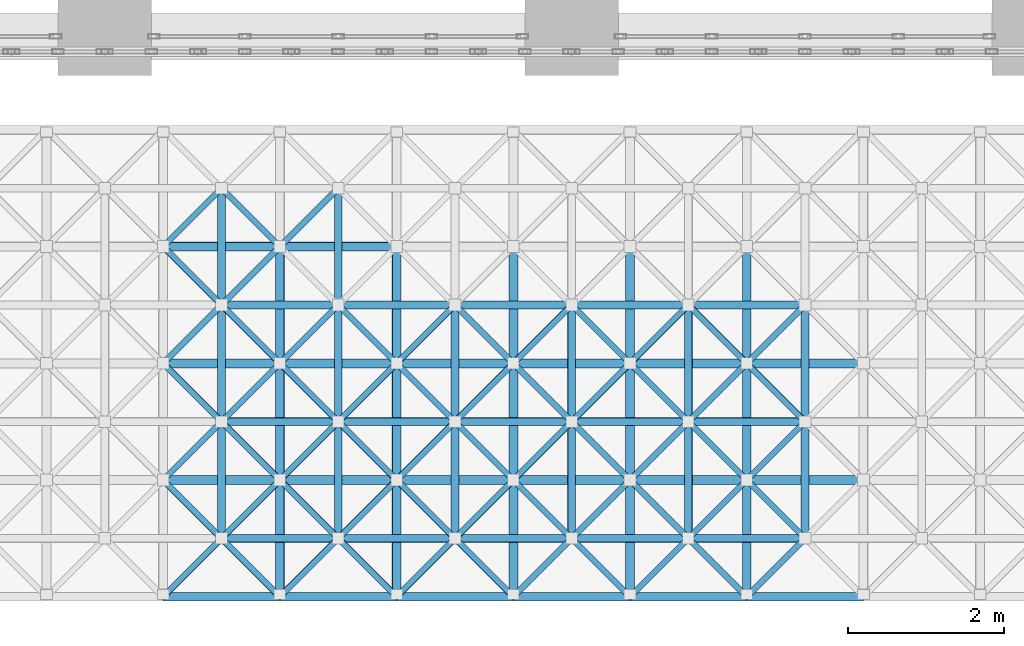
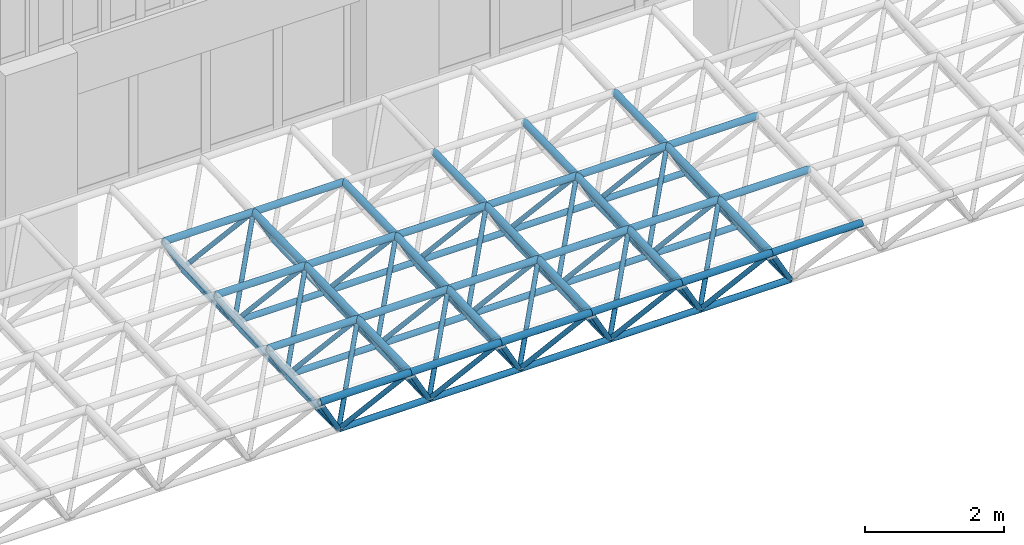
# One storey, part 14 of 103: 124 members.
"""IFC4 building model written with IfcOpenShell, lengths in metres."""

from ifc_helpers import new_model, si_unit, direction, frame, origin, origin_2d, place, context, subcontext, project, spatial, hollow_circle, extrude, material, material_profile, profile_set, type_object, element, save


model = new_model("IFC4")

# Units and contexts
model_context = context("Model", 3, precision=1e-05, world=origin(), true_north=direction((0.0, 1.0)))
body_context = subcontext(model_context, "Body", "Model", "MODEL_VIEW")
ifc_project = project(units=[si_unit("LENGTHUNIT", "METRE"), si_unit("AREAUNIT", "SQUARE_METRE"), si_unit("VOLUMEUNIT", "CUBIC_METRE"), si_unit("PLANEANGLEUNIT", "RADIAN"), si_unit("MASSUNIT", "GRAM", prefix="KILO")], contexts=[model_context])

# Site, building, storey
site_placement = place(None, origin())
site = spatial("IfcSite", under=ifc_project, at=site_placement, CompositionType="ELEMENT")
building_placement = place(site_placement, origin())
building = spatial("IfcBuilding", under=site, at=building_placement, Name="Laocheng Heights Fire and Rescue Headquarters", CompositionType="ELEMENT")
storey_placement = place(building_placement, frame((0.0, 0.0, 4.199951171875)))
storey = spatial("IfcBuildingStorey", under=building, at=storey_placement, Name="L01", CompositionType="ELEMENT", Elevation=4.199951171875)

# Members
ifc_material_1 = material(Name="Steel Q355B", Category="steel")
ifc_material_profile_1 = material_profile(ifc_material_1, hollow_circle(Radius=0.05078125, WallThickness=0.00390625, at=origin_2d()), Name="CHS 101.6x4")
ifc_profile_set_1 = profile_set([ifc_material_profile_1], Name="Steel Q355B")
member_type_1 = type_object("IfcMemberType", Name="APRON CANOPY BOTTOM CHORD CHS 101.6x4", PredefinedType="CHORD", material=ifc_profile_set_1)
for number, where, z_axis, x_axis, name in (
    (1, (37.5, -3.449951171875, 0.8310546875), (1.0, 0.0, 0.0), (0.0, 1.0, 0.0), "Apron canopy bottom chord AC-B033"),
    (2, (39.0, -3.449951171875, 0.8310546875), (1.0, 0.0, 0.0), (0.0, 1.0, 0.0), "Apron canopy bottom chord AC-B034"),
    (3, (40.5, -3.449951171875, 0.8310546875), (1.0, 0.0, 0.0), (0.0, 1.0, 0.0), "Apron canopy bottom chord AC-B035"),
    (4, (42.0, -3.449951171875, 0.8310546875), (1.0, 0.0, 0.0), (0.0, 1.0, 0.0), "Apron canopy bottom chord AC-B036"),
    (5, (43.5, -3.449951171875, 0.8310546875), (1.0, 0.0, 0.0), (0.0, 1.0, 0.0), "Apron canopy bottom chord AC-B037"),
    (6, (37.5, -4.949951171875, 0.801025390625), (1.0, 0.0, 0.0), (0.0, 1.0, 0.0), "Apron canopy bottom chord AC-B055"),
    (7, (39.0, -4.949951171875, 0.801025390625), (1.0, 0.0, 0.0), (0.0, 1.0, 0.0), "Apron canopy bottom chord AC-B056"),
    (8, (40.5, -4.949951171875, 0.801025390625), (1.0, 0.0, 0.0), (0.0, 1.0, 0.0), "Apron canopy bottom chord AC-B057"),
    (9, (42.0, -4.949951171875, 0.801025390625), (1.0, 0.0, 0.0), (0.0, 1.0, 0.0), "Apron canopy bottom chord AC-B058"),
    (10, (43.5, -4.949951171875, 0.801025390625), (1.0, 0.0, 0.0), (0.0, 1.0, 0.0), "Apron canopy bottom chord AC-B059"),
    (11, (37.5, -6.449951171875, 0.77099609375), (1.0, 0.0, 0.0), (0.0, 1.0, 0.0), "Apron canopy bottom chord AC-B077"),
    (12, (39.0, -6.449951171875, 0.77099609375), (1.0, 0.0, 0.0), (0.0, 1.0, 0.0), "Apron canopy bottom chord AC-B078"),
    (13, (40.5, -6.449951171875, 0.77099609375), (1.0, 0.0, 0.0), (0.0, 1.0, 0.0), "Apron canopy bottom chord AC-B079"),
    (14, (42.0, -6.449951171875, 0.77099609375), (1.0, 0.0, 0.0), (0.0, 1.0, 0.0), "Apron canopy bottom chord AC-B080"),
    (15, (43.5, -6.449951171875, 0.77099609375), (1.0, 0.0, 0.0), (0.0, 1.0, 0.0), "Apron canopy bottom chord AC-B081"),
):
    element("IfcMember", number, at=place(storey_placement, frame(where, z_axis=z_axis, x_axis=x_axis)), inside=storey, type_object=member_type_1, Name=name, PredefinedType="CHORD", context=body_context, shape_type="SweptSolid", body=[
        extrude(hollow_circle(Radius=0.05078125, WallThickness=0.00390625, at=origin_2d()), origin(), (0.0, 0.0, 1.0), 1.5),
    ])
for number, where, z_axis, x_axis, name in (
    (16, (37.5, -1.949951171875, 0.861083984375), (0.0, -0.999799669399, -0.020015520725), (1.0, 0.0, 0.0), "Apron canopy bottom chord AC-B119"),
    (17, (37.5, -3.449951171875, 0.8310546875), (0.0, -0.999799669399, -0.020015520725), (1.0, 0.0, 0.0), "Apron canopy bottom chord AC-B120"),
    (18, (37.5, -4.949951171875, 0.801025390625), (0.0, -0.999799669399, -0.020015520725), (1.0, 0.0, 0.0), "Apron canopy bottom chord AC-B121"),
    (19, (39.0, -1.949951171875, 0.861083984375), (0.0, -0.999799669399, -0.020015520725), (1.0, 0.0, 0.0), "Apron canopy bottom chord AC-B122"),
    (20, (39.0, -3.449951171875, 0.8310546875), (0.0, -0.999799669399, -0.020015520725), (1.0, 0.0, 0.0), "Apron canopy bottom chord AC-B123"),
    (21, (39.0, -4.949951171875, 0.801025390625), (0.0, -0.999799669399, -0.020015520725), (1.0, 0.0, 0.0), "Apron canopy bottom chord AC-B124"),
    (22, (40.5, -3.449951171875, 0.8310546875), (0.0, -0.999799669399, -0.020015520725), (1.0, 0.0, 0.0), "Apron canopy bottom chord AC-B126"),
    (23, (40.5, -4.949951171875, 0.801025390625), (0.0, -0.999799669399, -0.020015520725), (1.0, 0.0, 0.0), "Apron canopy bottom chord AC-B127"),
    (24, (42.0, -3.449951171875, 0.8310546875), (0.0, -0.999799669399, -0.020015520725), (1.0, 0.0, 0.0), "Apron canopy bottom chord AC-B129"),
    (25, (42.0, -4.949951171875, 0.801025390625), (0.0, -0.999799669399, -0.020015520725), (1.0, 0.0, 0.0), "Apron canopy bottom chord AC-B130"),
    (26, (43.5, -3.449951171875, 0.8310546875), (0.0, -0.999799669399, -0.020015520725), (1.0, 0.0, 0.0), "Apron canopy bottom chord AC-B132"),
    (27, (43.5, -4.949951171875, 0.801025390625), (0.0, -0.999799669399, -0.020015520725), (1.0, 0.0, 0.0), "Apron canopy bottom chord AC-B133"),
    (28, (45.0, -3.449951171875, 0.8310546875), (0.0, -0.999799669399, -0.020015520725), (1.0, 0.0, 0.0), "Apron canopy bottom chord AC-B135"),
    (29, (45.0, -4.949951171875, 0.801025390625), (0.0, -0.999799669399, -0.020015520725), (1.0, 0.0, 0.0), "Apron canopy bottom chord AC-B136"),
):
    element("IfcMember", number, at=place(storey_placement, frame(where, z_axis=z_axis, x_axis=x_axis)), inside=storey, type_object=member_type_1, Name=name, PredefinedType="CHORD", context=body_context, shape_type="SweptSolid", body=[
        extrude(hollow_circle(Radius=0.05078125, WallThickness=0.00390625, at=origin_2d()), origin(), (0.0, 0.0, 1.0), 1.500244140625),
    ])
ifc_material_2 = material(Name="Steel Q355B", Category="steel")
ifc_material_profile_2 = material_profile(ifc_material_2, hollow_circle(Radius=0.05712890625, WallThickness=0.0048828125, at=origin_2d()), Name="CHS 114.3x5")
ifc_profile_set_2 = profile_set([ifc_material_profile_2], Name="Steel Q355B")
member_type_2 = type_object("IfcMemberType", Name="APRON CANOPY TOP CHORD CHS 114.3x5", PredefinedType="CHORD", material=ifc_profile_set_2)
for number, where, z_axis, x_axis, name in (
    (30, (36.75, -2.699951171875, 2.046142578125), (1.0, 0.0, 0.0), (0.0, 1.0, 0.0), "Apron canopy top chord AC-T034"),
    (31, (38.25, -2.699951171875, 2.046142578125), (1.0, 0.0, 0.0), (0.0, 1.0, 0.0), "Apron canopy top chord AC-T035"),
    (32, (36.75, -4.199951171875, 2.01611328125), (1.0, 0.0, 0.0), (0.0, 1.0, 0.0), "Apron canopy top chord AC-T057"),
    (33, (38.25, -4.199951171875, 2.01611328125), (1.0, 0.0, 0.0), (0.0, 1.0, 0.0), "Apron canopy top chord AC-T058"),
    (34, (39.75, -4.199951171875, 2.01611328125), (1.0, 0.0, 0.0), (0.0, 1.0, 0.0), "Apron canopy top chord AC-T059"),
    (35, (41.25, -4.199951171875, 2.01611328125), (1.0, 0.0, 0.0), (0.0, 1.0, 0.0), "Apron canopy top chord AC-T060"),
    (36, (42.75, -4.199951171875, 2.01611328125), (1.0, 0.0, 0.0), (0.0, 1.0, 0.0), "Apron canopy top chord AC-T061"),
    (37, (44.25, -4.199951171875, 2.01611328125), (1.0, 0.0, 0.0), (0.0, 1.0, 0.0), "Apron canopy top chord AC-T062"),
    (38, (36.75, -5.699951171875, 1.986083984375), (1.0, 0.0, 0.0), (0.0, 1.0, 0.0), "Apron canopy top chord AC-T080"),
    (39, (38.25, -5.699951171875, 1.986083984375), (1.0, 0.0, 0.0), (0.0, 1.0, 0.0), "Apron canopy top chord AC-T081"),
    (40, (39.75, -5.699951171875, 1.986083984375), (1.0, 0.0, 0.0), (0.0, 1.0, 0.0), "Apron canopy top chord AC-T082"),
    (41, (41.25, -5.699951171875, 1.986083984375), (1.0, 0.0, 0.0), (0.0, 1.0, 0.0), "Apron canopy top chord AC-T083"),
    (42, (42.75, -5.699951171875, 1.986083984375), (1.0, 0.0, 0.0), (0.0, 1.0, 0.0), "Apron canopy top chord AC-T084"),
    (43, (44.25, -5.699951171875, 1.986083984375), (1.0, 0.0, 0.0), (0.0, 1.0, 0.0), "Apron canopy top chord AC-T085"),
    (44, (36.75, -7.199951171875, 1.9560546875), (1.0, 0.0, 0.0), (0.0, 1.0, 0.0), "Apron canopy top chord AC-T103"),
    (45, (38.25, -7.199951171875, 1.9560546875), (1.0, 0.0, 0.0), (0.0, 1.0, 0.0), "Apron canopy top chord AC-T104"),
    (46, (39.75, -7.199951171875, 1.9560546875), (1.0, 0.0, 0.0), (0.0, 1.0, 0.0), "Apron canopy top chord AC-T105"),
    (47, (41.25, -7.199951171875, 1.9560546875), (1.0, 0.0, 0.0), (0.0, 1.0, 0.0), "Apron canopy top chord AC-T106"),
    (48, (42.75, -7.199951171875, 1.9560546875), (1.0, 0.0, 0.0), (0.0, 1.0, 0.0), "Apron canopy top chord AC-T107"),
    (49, (44.25, -7.199951171875, 1.9560546875), (1.0, 0.0, 0.0), (0.0, 1.0, 0.0), "Apron canopy top chord AC-T108"),
):
    element("IfcMember", number, at=place(storey_placement, frame(where, z_axis=z_axis, x_axis=x_axis)), inside=storey, type_object=member_type_2, Name=name, PredefinedType="CHORD", context=body_context, shape_type="SweptSolid", body=[
        extrude(hollow_circle(Radius=0.05712890625, WallThickness=0.0048828125, at=origin_2d()), origin(), (0.0, 0.0, 1.0), 1.5),
    ])
for number, where, z_axis, x_axis, name in (
    (50, (38.25, -2.699951171875, 2.046142578125), (0.0, -0.999799669399, -0.020015520725), (1.0, 0.0, 0.0), "Apron canopy top chord AC-T161"),
    (51, (38.25, -4.199951171875, 2.01611328125), (0.0, -0.999799669399, -0.020015520725), (1.0, 0.0, 0.0), "Apron canopy top chord AC-T162"),
    (52, (38.25, -5.699951171875, 1.986083984375), (0.0, -0.999799669399, -0.020015520725), (1.0, 0.0, 0.0), "Apron canopy top chord AC-T163"),
    (53, (39.75, -2.699951171875, 2.046142578125), (0.0, -0.999799669399, -0.020015520725), (1.0, 0.0, 0.0), "Apron canopy top chord AC-T165"),
    (54, (39.75, -4.199951171875, 2.01611328125), (0.0, -0.999799669399, -0.020015520725), (1.0, 0.0, 0.0), "Apron canopy top chord AC-T166"),
    (55, (39.75, -5.699951171875, 1.986083984375), (0.0, -0.999799669399, -0.020015520725), (1.0, 0.0, 0.0), "Apron canopy top chord AC-T167"),
    (56, (41.25, -2.699951171875, 2.046142578125), (0.0, -0.999799669399, -0.020015520725), (1.0, 0.0, 0.0), "Apron canopy top chord AC-T169"),
    (57, (41.25, -4.199951171875, 2.01611328125), (0.0, -0.999799669399, -0.020015520725), (1.0, 0.0, 0.0), "Apron canopy top chord AC-T170"),
    (58, (41.25, -5.699951171875, 1.986083984375), (0.0, -0.999799669399, -0.020015520725), (1.0, 0.0, 0.0), "Apron canopy top chord AC-T171"),
    (59, (42.75, -2.699951171875, 2.046142578125), (0.0, -0.999799669399, -0.020015520725), (1.0, 0.0, 0.0), "Apron canopy top chord AC-T173"),
    (60, (42.75, -4.199951171875, 2.01611328125), (0.0, -0.999799669399, -0.020015520725), (1.0, 0.0, 0.0), "Apron canopy top chord AC-T174"),
    (61, (42.75, -5.699951171875, 1.986083984375), (0.0, -0.999799669399, -0.020015520725), (1.0, 0.0, 0.0), "Apron canopy top chord AC-T175"),
    (62, (44.25, -2.699951171875, 2.046142578125), (0.0, -0.999799669399, -0.020015520725), (1.0, 0.0, 0.0), "Apron canopy top chord AC-T177"),
    (63, (44.25, -4.199951171875, 2.01611328125), (0.0, -0.999799669399, -0.020015520725), (1.0, 0.0, 0.0), "Apron canopy top chord AC-T178"),
    (64, (44.25, -5.699951171875, 1.986083984375), (0.0, -0.999799669399, -0.020015520725), (1.0, 0.0, 0.0), "Apron canopy top chord AC-T179"),
):
    element("IfcMember", number, at=place(storey_placement, frame(where, z_axis=z_axis, x_axis=x_axis)), inside=storey, type_object=member_type_2, Name=name, PredefinedType="CHORD", context=body_context, shape_type="SweptSolid", body=[
        extrude(hollow_circle(Radius=0.05712890625, WallThickness=0.0048828125, at=origin_2d()), origin(), (0.0, 0.0, 1.0), 1.500244140625),
    ])
ifc_material_3 = material(Name="Steel Q355B", Category="steel")
ifc_material_profile_3 = material_profile(ifc_material_3, hollow_circle(Radius=0.0380859375, WallThickness=0.00390625, at=origin_2d()), Name="CHS 76.1x4")
ifc_profile_set_3 = profile_set([ifc_material_profile_3], Name="Steel Q355B")
member_type_3 = type_object("IfcMemberType", Name="APRON CANOPY WEB CHS 76.1x4", PredefinedType="BRACE", material=ifc_profile_set_3)
for number, where, z_axis, x_axis, name in (
    (65, (37.5, -1.949951171875, 0.861083984375), (-0.471580249604, -0.471580249604, 0.745133636582), (0.707106781187, -0.707106781187, 0.0), "Apron canopy web AC-W043"),
    (66, (37.5, -1.949951171875, 0.861083984375), (0.471580249604, -0.471580249604, 0.745133636582), (0.707106781187, 0.707106781187, 0.0), "Apron canopy web AC-W044"),
    (67, (39.0, -1.949951171875, 0.861083984375), (-0.471580249604, -0.471580249604, 0.745133636582), (0.707106781187, -0.707106781187, 0.0), "Apron canopy web AC-W047"),
):
    element("IfcMember", number, at=place(storey_placement, frame(where, z_axis=z_axis, x_axis=x_axis)), inside=storey, type_object=member_type_3, Name=name, PredefinedType="BRACE", context=body_context, shape_type="SweptSolid", body=[
        extrude(hollow_circle(Radius=0.0380859375, WallThickness=0.00390625, at=origin_2d()), origin(), (0.0, 0.0, 1.0), 1.59033203125),
    ])
for number, where, z_axis, x_axis, name in (
    (68, (37.5, -3.449951171875, 0.8310546875), (-0.465001629625, 0.465001629625, 0.75335713237), (-0.707106781187, -0.707106781187, 0.0), "Apron canopy web AC-W133"),
    (69, (37.5, -3.449951171875, 0.8310546875), (0.465001629625, 0.465001629625, 0.75335713237), (-0.707106781187, 0.707106781187, 0.0), "Apron canopy web AC-W134"),
):
    element("IfcMember", number, at=place(storey_placement, frame(where, z_axis=z_axis, x_axis=x_axis)), inside=storey, type_object=member_type_3, Name=name, PredefinedType="BRACE", context=body_context, shape_type="SweptSolid", body=[
        extrude(hollow_circle(Radius=0.0380859375, WallThickness=0.00390625, at=origin_2d()), origin(), (0.0, 0.0, 1.0), 1.61279296875),
    ])
for number, where, z_axis, x_axis, name in (
    (70, (37.5, -3.449951171875, 0.8310546875), (-0.471580249604, -0.471580249604, 0.745133636582), (0.707106781187, -0.707106781187, 0.0), "Apron canopy web AC-W135"),
    (71, (37.5, -3.449951171875, 0.8310546875), (0.471580249604, -0.471580249604, 0.745133636582), (0.707106781187, 0.707106781187, 0.0), "Apron canopy web AC-W136"),
    (72, (39.0, -3.449951171875, 0.8310546875), (-0.471580249604, -0.471580249604, 0.745133636582), (0.707106781187, -0.707106781187, 0.0), "Apron canopy web AC-W139"),
    (73, (39.0, -3.449951171875, 0.8310546875), (0.471580249604, -0.471580249604, 0.745133636582), (0.707106781187, 0.707106781187, 0.0), "Apron canopy web AC-W140"),
    (74, (40.5, -3.449951171875, 0.8310546875), (-0.471580249604, -0.471580249604, 0.745133636582), (0.707106781187, -0.707106781187, 0.0), "Apron canopy web AC-W143"),
    (75, (40.5, -3.449951171875, 0.8310546875), (0.471580249604, -0.471580249604, 0.745133636582), (0.707106781187, 0.707106781187, 0.0), "Apron canopy web AC-W144"),
    (76, (42.0, -3.449951171875, 0.8310546875), (-0.471580249604, -0.471580249604, 0.745133636582), (0.707106781187, -0.707106781187, 0.0), "Apron canopy web AC-W147"),
    (77, (42.0, -3.449951171875, 0.8310546875), (0.471580249604, -0.471580249604, 0.745133636582), (0.707106781187, 0.707106781187, 0.0), "Apron canopy web AC-W148"),
    (78, (43.5, -3.449951171875, 0.8310546875), (-0.471580249604, -0.471580249604, 0.745133636582), (0.707106781187, -0.707106781187, 0.0), "Apron canopy web AC-W151"),
    (79, (43.5, -3.449951171875, 0.8310546875), (0.471580249604, -0.471580249604, 0.745133636582), (0.707106781187, 0.707106781187, 0.0), "Apron canopy web AC-W152"),
    (80, (45.0, -3.449951171875, 0.8310546875), (-0.471580249604, -0.471580249604, 0.745133636582), (0.707106781187, -0.707106781187, 0.0), "Apron canopy web AC-W155"),
):
    element("IfcMember", number, at=place(storey_placement, frame(where, z_axis=z_axis, x_axis=x_axis)), inside=storey, type_object=member_type_3, Name=name, PredefinedType="BRACE", context=body_context, shape_type="SweptSolid", body=[
        extrude(hollow_circle(Radius=0.0380859375, WallThickness=0.00390625, at=origin_2d()), origin(), (0.0, 0.0, 1.0), 1.59033203125),
    ])
for number, where, z_axis, x_axis, name in (
    (81, (37.5, -4.949951171875, 0.801025390625), (-0.465001629625, 0.465001629625, 0.75335713237), (-0.707106781187, -0.707106781187, 0.0), "Apron canopy web AC-W225"),
    (82, (37.5, -4.949951171875, 0.801025390625), (0.465001629625, 0.465001629625, 0.75335713237), (-0.707106781187, 0.707106781187, 0.0), "Apron canopy web AC-W226"),
):
    element("IfcMember", number, at=place(storey_placement, frame(where, z_axis=z_axis, x_axis=x_axis)), inside=storey, type_object=member_type_3, Name=name, PredefinedType="BRACE", context=body_context, shape_type="SweptSolid", body=[
        extrude(hollow_circle(Radius=0.0380859375, WallThickness=0.00390625, at=origin_2d()), origin(), (0.0, 0.0, 1.0), 1.61279296875),
    ])
for number, where, z_axis, x_axis, name in (
    (83, (37.5, -4.949951171875, 0.801025390625), (-0.471580249604, -0.471580249604, 0.745133636582), (0.707106781187, -0.707106781187, 0.0), "Apron canopy web AC-W227"),
    (84, (37.5, -4.949951171875, 0.801025390625), (0.471580249604, -0.471580249604, 0.745133636582), (0.707106781187, 0.707106781187, 0.0), "Apron canopy web AC-W228"),
):
    element("IfcMember", number, at=place(storey_placement, frame(where, z_axis=z_axis, x_axis=x_axis)), inside=storey, type_object=member_type_3, Name=name, PredefinedType="BRACE", context=body_context, shape_type="SweptSolid", body=[
        extrude(hollow_circle(Radius=0.0380859375, WallThickness=0.00390625, at=origin_2d()), origin(), (0.0, 0.0, 1.0), 1.59033203125),
    ])
for number, where, z_axis, x_axis, name in (
    (85, (39.0, -4.949951171875, 0.801025390625), (-0.465001629625, 0.465001629625, 0.75335713237), (-0.707106781187, -0.707106781187, 0.0), "Apron canopy web AC-W229"),
    (86, (39.0, -4.949951171875, 0.801025390625), (0.465001629625, 0.465001629625, 0.75335713237), (-0.707106781187, 0.707106781187, 0.0), "Apron canopy web AC-W230"),
):
    element("IfcMember", number, at=place(storey_placement, frame(where, z_axis=z_axis, x_axis=x_axis)), inside=storey, type_object=member_type_3, Name=name, PredefinedType="BRACE", context=body_context, shape_type="SweptSolid", body=[
        extrude(hollow_circle(Radius=0.0380859375, WallThickness=0.00390625, at=origin_2d()), origin(), (0.0, 0.0, 1.0), 1.61279296875),
    ])
for number, where, z_axis, x_axis, name in (
    (87, (39.0, -4.949951171875, 0.801025390625), (-0.471580249604, -0.471580249604, 0.745133636582), (0.707106781187, -0.707106781187, 0.0), "Apron canopy web AC-W231"),
    (88, (39.0, -4.949951171875, 0.801025390625), (0.471580249604, -0.471580249604, 0.745133636582), (0.707106781187, 0.707106781187, 0.0), "Apron canopy web AC-W232"),
):
    element("IfcMember", number, at=place(storey_placement, frame(where, z_axis=z_axis, x_axis=x_axis)), inside=storey, type_object=member_type_3, Name=name, PredefinedType="BRACE", context=body_context, shape_type="SweptSolid", body=[
        extrude(hollow_circle(Radius=0.0380859375, WallThickness=0.00390625, at=origin_2d()), origin(), (0.0, 0.0, 1.0), 1.59033203125),
    ])
for number, where, z_axis, x_axis, name in (
    (89, (40.5, -4.949951171875, 0.801025390625), (-0.465001629625, 0.465001629625, 0.75335713237), (-0.707106781187, -0.707106781187, 0.0), "Apron canopy web AC-W233"),
    (90, (40.5, -4.949951171875, 0.801025390625), (0.465001629625, 0.465001629625, 0.75335713237), (-0.707106781187, 0.707106781187, 0.0), "Apron canopy web AC-W234"),
):
    element("IfcMember", number, at=place(storey_placement, frame(where, z_axis=z_axis, x_axis=x_axis)), inside=storey, type_object=member_type_3, Name=name, PredefinedType="BRACE", context=body_context, shape_type="SweptSolid", body=[
        extrude(hollow_circle(Radius=0.0380859375, WallThickness=0.00390625, at=origin_2d()), origin(), (0.0, 0.0, 1.0), 1.61279296875),
    ])
for number, where, z_axis, x_axis, name in (
    (91, (40.5, -4.949951171875, 0.801025390625), (-0.471580249604, -0.471580249604, 0.745133636582), (0.707106781187, -0.707106781187, 0.0), "Apron canopy web AC-W235"),
    (92, (40.5, -4.949951171875, 0.801025390625), (0.471580249604, -0.471580249604, 0.745133636582), (0.707106781187, 0.707106781187, 0.0), "Apron canopy web AC-W236"),
):
    element("IfcMember", number, at=place(storey_placement, frame(where, z_axis=z_axis, x_axis=x_axis)), inside=storey, type_object=member_type_3, Name=name, PredefinedType="BRACE", context=body_context, shape_type="SweptSolid", body=[
        extrude(hollow_circle(Radius=0.0380859375, WallThickness=0.00390625, at=origin_2d()), origin(), (0.0, 0.0, 1.0), 1.59033203125),
    ])
for number, where, z_axis, x_axis, name in (
    (93, (42.0, -4.949951171875, 0.801025390625), (-0.465001629625, 0.465001629625, 0.75335713237), (-0.707106781187, -0.707106781187, 0.0), "Apron canopy web AC-W237"),
    (94, (42.0, -4.949951171875, 0.801025390625), (0.465001629625, 0.465001629625, 0.75335713237), (-0.707106781187, 0.707106781187, 0.0), "Apron canopy web AC-W238"),
):
    element("IfcMember", number, at=place(storey_placement, frame(where, z_axis=z_axis, x_axis=x_axis)), inside=storey, type_object=member_type_3, Name=name, PredefinedType="BRACE", context=body_context, shape_type="SweptSolid", body=[
        extrude(hollow_circle(Radius=0.0380859375, WallThickness=0.00390625, at=origin_2d()), origin(), (0.0, 0.0, 1.0), 1.61279296875),
    ])
for number, where, z_axis, x_axis, name in (
    (95, (42.0, -4.949951171875, 0.801025390625), (-0.471580249604, -0.471580249604, 0.745133636582), (0.707106781187, -0.707106781187, 0.0), "Apron canopy web AC-W239"),
    (96, (42.0, -4.949951171875, 0.801025390625), (0.471580249604, -0.471580249604, 0.745133636582), (0.707106781187, 0.707106781187, 0.0), "Apron canopy web AC-W240"),
):
    element("IfcMember", number, at=place(storey_placement, frame(where, z_axis=z_axis, x_axis=x_axis)), inside=storey, type_object=member_type_3, Name=name, PredefinedType="BRACE", context=body_context, shape_type="SweptSolid", body=[
        extrude(hollow_circle(Radius=0.0380859375, WallThickness=0.00390625, at=origin_2d()), origin(), (0.0, 0.0, 1.0), 1.59033203125),
    ])
for number, where, z_axis, x_axis, name in (
    (97, (43.5, -4.949951171875, 0.801025390625), (-0.465001629625, 0.465001629625, 0.75335713237), (-0.707106781187, -0.707106781187, 0.0), "Apron canopy web AC-W241"),
    (98, (43.5, -4.949951171875, 0.801025390625), (0.465001629625, 0.465001629625, 0.75335713237), (-0.707106781187, 0.707106781187, 0.0), "Apron canopy web AC-W242"),
):
    element("IfcMember", number, at=place(storey_placement, frame(where, z_axis=z_axis, x_axis=x_axis)), inside=storey, type_object=member_type_3, Name=name, PredefinedType="BRACE", context=body_context, shape_type="SweptSolid", body=[
        extrude(hollow_circle(Radius=0.0380859375, WallThickness=0.00390625, at=origin_2d()), origin(), (0.0, 0.0, 1.0), 1.61279296875),
    ])
for number, where, z_axis, x_axis, name in (
    (99, (43.5, -4.949951171875, 0.801025390625), (-0.471580249604, -0.471580249604, 0.745133636582), (0.707106781187, -0.707106781187, 0.0), "Apron canopy web AC-W243"),
    (100, (43.5, -4.949951171875, 0.801025390625), (0.471580249604, -0.471580249604, 0.745133636582), (0.707106781187, 0.707106781187, 0.0), "Apron canopy web AC-W244"),
):
    element("IfcMember", number, at=place(storey_placement, frame(where, z_axis=z_axis, x_axis=x_axis)), inside=storey, type_object=member_type_3, Name=name, PredefinedType="BRACE", context=body_context, shape_type="SweptSolid", body=[
        extrude(hollow_circle(Radius=0.0380859375, WallThickness=0.00390625, at=origin_2d()), origin(), (0.0, 0.0, 1.0), 1.59033203125),
    ])
member_1_placement = place(storey_placement, frame((45.0, -4.949951171875, 0.801025390625), z_axis=(-0.465001629625, 0.465001629625, 0.75335713237), x_axis=(-0.707106781187, -0.707106781187, 0.0)))
element("IfcMember", 101, at=member_1_placement, inside=storey, type_object=member_type_3, Name="Apron canopy web AC-W245", PredefinedType="BRACE", context=body_context, shape_type="SweptSolid", body=[
    extrude(hollow_circle(Radius=0.0380859375, WallThickness=0.00390625, at=origin_2d()), origin(), (0.0, 0.0, 1.0), 1.61279296875),
])
member_2_placement = place(storey_placement, frame((45.0, -4.949951171875, 0.801025390625), z_axis=(-0.471580249604, -0.471580249604, 0.745133636582), x_axis=(0.707106781187, -0.707106781187, 0.0)))
element("IfcMember", 102, at=member_2_placement, inside=storey, type_object=member_type_3, Name="Apron canopy web AC-W247", PredefinedType="BRACE", context=body_context, shape_type="SweptSolid", body=[
    extrude(hollow_circle(Radius=0.0380859375, WallThickness=0.00390625, at=origin_2d()), origin(), (0.0, 0.0, 1.0), 1.59033203125),
])
for number, where, z_axis, x_axis, name in (
    (103, (37.5, -6.449951171875, 0.77099609375), (-0.465001629625, 0.465001629625, 0.75335713237), (-0.707106781187, -0.707106781187, 0.0), "Apron canopy web AC-W317"),
    (104, (37.5, -6.449951171875, 0.77099609375), (0.465001629625, 0.465001629625, 0.75335713237), (-0.707106781187, 0.707106781187, 0.0), "Apron canopy web AC-W318"),
):
    element("IfcMember", number, at=place(storey_placement, frame(where, z_axis=z_axis, x_axis=x_axis)), inside=storey, type_object=member_type_3, Name=name, PredefinedType="BRACE", context=body_context, shape_type="SweptSolid", body=[
        extrude(hollow_circle(Radius=0.0380859375, WallThickness=0.00390625, at=origin_2d()), origin(), (0.0, 0.0, 1.0), 1.61279296875),
    ])
for number, where, z_axis, x_axis, name in (
    (105, (37.5, -6.449951171875, 0.77099609375), (-0.471580249604, -0.471580249604, 0.745133636582), (0.707106781187, -0.707106781187, 0.0), "Apron canopy web AC-W319"),
    (106, (37.5, -6.449951171875, 0.77099609375), (0.471580249604, -0.471580249604, 0.745133636582), (0.707106781187, 0.707106781187, 0.0), "Apron canopy web AC-W320"),
):
    element("IfcMember", number, at=place(storey_placement, frame(where, z_axis=z_axis, x_axis=x_axis)), inside=storey, type_object=member_type_3, Name=name, PredefinedType="BRACE", context=body_context, shape_type="SweptSolid", body=[
        extrude(hollow_circle(Radius=0.0380859375, WallThickness=0.00390625, at=origin_2d()), origin(), (0.0, 0.0, 1.0), 1.59033203125),
    ])
for number, where, z_axis, x_axis, name in (
    (107, (39.0, -6.449951171875, 0.77099609375), (-0.465001629625, 0.465001629625, 0.75335713237), (-0.707106781187, -0.707106781187, 0.0), "Apron canopy web AC-W321"),
    (108, (39.0, -6.449951171875, 0.77099609375), (0.465001629625, 0.465001629625, 0.75335713237), (-0.707106781187, 0.707106781187, 0.0), "Apron canopy web AC-W322"),
):
    element("IfcMember", number, at=place(storey_placement, frame(where, z_axis=z_axis, x_axis=x_axis)), inside=storey, type_object=member_type_3, Name=name, PredefinedType="BRACE", context=body_context, shape_type="SweptSolid", body=[
        extrude(hollow_circle(Radius=0.0380859375, WallThickness=0.00390625, at=origin_2d()), origin(), (0.0, 0.0, 1.0), 1.61279296875),
    ])
for number, where, z_axis, x_axis, name in (
    (109, (39.0, -6.449951171875, 0.77099609375), (-0.471580249604, -0.471580249604, 0.745133636582), (0.707106781187, -0.707106781187, 0.0), "Apron canopy web AC-W323"),
    (110, (39.0, -6.449951171875, 0.77099609375), (0.471580249604, -0.471580249604, 0.745133636582), (0.707106781187, 0.707106781187, 0.0), "Apron canopy web AC-W324"),
):
    element("IfcMember", number, at=place(storey_placement, frame(where, z_axis=z_axis, x_axis=x_axis)), inside=storey, type_object=member_type_3, Name=name, PredefinedType="BRACE", context=body_context, shape_type="SweptSolid", body=[
        extrude(hollow_circle(Radius=0.0380859375, WallThickness=0.00390625, at=origin_2d()), origin(), (0.0, 0.0, 1.0), 1.59033203125),
    ])
for number, where, z_axis, x_axis, name in (
    (111, (40.5, -6.449951171875, 0.77099609375), (-0.465001629625, 0.465001629625, 0.75335713237), (-0.707106781187, -0.707106781187, 0.0), "Apron canopy web AC-W325"),
    (112, (40.5, -6.449951171875, 0.77099609375), (0.465001629625, 0.465001629625, 0.75335713237), (-0.707106781187, 0.707106781187, 0.0), "Apron canopy web AC-W326"),
):
    element("IfcMember", number, at=place(storey_placement, frame(where, z_axis=z_axis, x_axis=x_axis)), inside=storey, type_object=member_type_3, Name=name, PredefinedType="BRACE", context=body_context, shape_type="SweptSolid", body=[
        extrude(hollow_circle(Radius=0.0380859375, WallThickness=0.00390625, at=origin_2d()), origin(), (0.0, 0.0, 1.0), 1.61279296875),
    ])
for number, where, z_axis, x_axis, name in (
    (113, (40.5, -6.449951171875, 0.77099609375), (-0.471580249604, -0.471580249604, 0.745133636582), (0.707106781187, -0.707106781187, 0.0), "Apron canopy web AC-W327"),
    (114, (40.5, -6.449951171875, 0.77099609375), (0.471580249604, -0.471580249604, 0.745133636582), (0.707106781187, 0.707106781187, 0.0), "Apron canopy web AC-W328"),
):
    element("IfcMember", number, at=place(storey_placement, frame(where, z_axis=z_axis, x_axis=x_axis)), inside=storey, type_object=member_type_3, Name=name, PredefinedType="BRACE", context=body_context, shape_type="SweptSolid", body=[
        extrude(hollow_circle(Radius=0.0380859375, WallThickness=0.00390625, at=origin_2d()), origin(), (0.0, 0.0, 1.0), 1.59033203125),
    ])
for number, where, z_axis, x_axis, name in (
    (115, (42.0, -6.449951171875, 0.77099609375), (-0.465001629625, 0.465001629625, 0.75335713237), (-0.707106781187, -0.707106781187, 0.0), "Apron canopy web AC-W329"),
    (116, (42.0, -6.449951171875, 0.77099609375), (0.465001629625, 0.465001629625, 0.75335713237), (-0.707106781187, 0.707106781187, 0.0), "Apron canopy web AC-W330"),
):
    element("IfcMember", number, at=place(storey_placement, frame(where, z_axis=z_axis, x_axis=x_axis)), inside=storey, type_object=member_type_3, Name=name, PredefinedType="BRACE", context=body_context, shape_type="SweptSolid", body=[
        extrude(hollow_circle(Radius=0.0380859375, WallThickness=0.00390625, at=origin_2d()), origin(), (0.0, 0.0, 1.0), 1.61279296875),
    ])
for number, where, z_axis, x_axis, name in (
    (117, (42.0, -6.449951171875, 0.77099609375), (-0.471580249604, -0.471580249604, 0.745133636582), (0.707106781187, -0.707106781187, 0.0), "Apron canopy web AC-W331"),
    (118, (42.0, -6.449951171875, 0.77099609375), (0.471580249604, -0.471580249604, 0.745133636582), (0.707106781187, 0.707106781187, 0.0), "Apron canopy web AC-W332"),
):
    element("IfcMember", number, at=place(storey_placement, frame(where, z_axis=z_axis, x_axis=x_axis)), inside=storey, type_object=member_type_3, Name=name, PredefinedType="BRACE", context=body_context, shape_type="SweptSolid", body=[
        extrude(hollow_circle(Radius=0.0380859375, WallThickness=0.00390625, at=origin_2d()), origin(), (0.0, 0.0, 1.0), 1.59033203125),
    ])
for number, where, z_axis, x_axis, name in (
    (119, (43.5, -6.449951171875, 0.77099609375), (-0.465001629625, 0.465001629625, 0.75335713237), (-0.707106781187, -0.707106781187, 0.0), "Apron canopy web AC-W333"),
    (120, (43.5, -6.449951171875, 0.77099609375), (0.465001629625, 0.465001629625, 0.75335713237), (-0.707106781187, 0.707106781187, 0.0), "Apron canopy web AC-W334"),
):
    element("IfcMember", number, at=place(storey_placement, frame(where, z_axis=z_axis, x_axis=x_axis)), inside=storey, type_object=member_type_3, Name=name, PredefinedType="BRACE", context=body_context, shape_type="SweptSolid", body=[
        extrude(hollow_circle(Radius=0.0380859375, WallThickness=0.00390625, at=origin_2d()), origin(), (0.0, 0.0, 1.0), 1.61279296875),
    ])
for number, where, z_axis, x_axis, name in (
    (121, (43.5, -6.449951171875, 0.77099609375), (-0.471580249604, -0.471580249604, 0.745133636582), (0.707106781187, -0.707106781187, 0.0), "Apron canopy web AC-W335"),
    (122, (43.5, -6.449951171875, 0.77099609375), (0.471580249604, -0.471580249604, 0.745133636582), (0.707106781187, 0.707106781187, 0.0), "Apron canopy web AC-W336"),
):
    element("IfcMember", number, at=place(storey_placement, frame(where, z_axis=z_axis, x_axis=x_axis)), inside=storey, type_object=member_type_3, Name=name, PredefinedType="BRACE", context=body_context, shape_type="SweptSolid", body=[
        extrude(hollow_circle(Radius=0.0380859375, WallThickness=0.00390625, at=origin_2d()), origin(), (0.0, 0.0, 1.0), 1.59033203125),
    ])
member_3_placement = place(storey_placement, frame((45.0, -6.449951171875, 0.77099609375), z_axis=(-0.465001629625, 0.465001629625, 0.75335713237), x_axis=(-0.707106781187, -0.707106781187, 0.0)))
element("IfcMember", 123, at=member_3_placement, inside=storey, type_object=member_type_3, Name="Apron canopy web AC-W337", PredefinedType="BRACE", context=body_context, shape_type="SweptSolid", body=[
    extrude(hollow_circle(Radius=0.0380859375, WallThickness=0.00390625, at=origin_2d()), origin(), (0.0, 0.0, 1.0), 1.61279296875),
])
member_4_placement = place(storey_placement, frame((45.0, -6.449951171875, 0.77099609375), z_axis=(-0.471580249604, -0.471580249604, 0.745133636582), x_axis=(0.707106781187, -0.707106781187, 0.0)))
element("IfcMember", 124, at=member_4_placement, inside=storey, type_object=member_type_3, Name="Apron canopy web AC-W339", PredefinedType="BRACE", context=body_context, shape_type="SweptSolid", body=[
    extrude(hollow_circle(Radius=0.0380859375, WallThickness=0.00390625, at=origin_2d()), origin(), (0.0, 0.0, 1.0), 1.59033203125),
])

save(model, "model.ifc")
